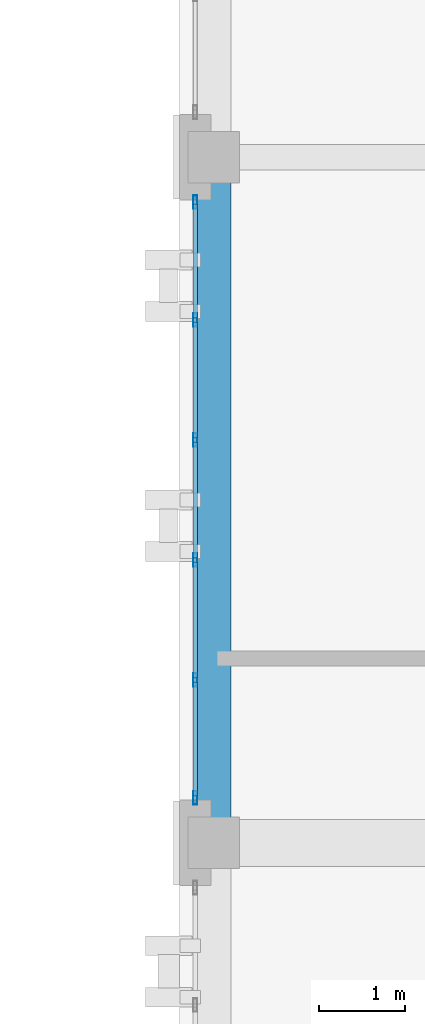
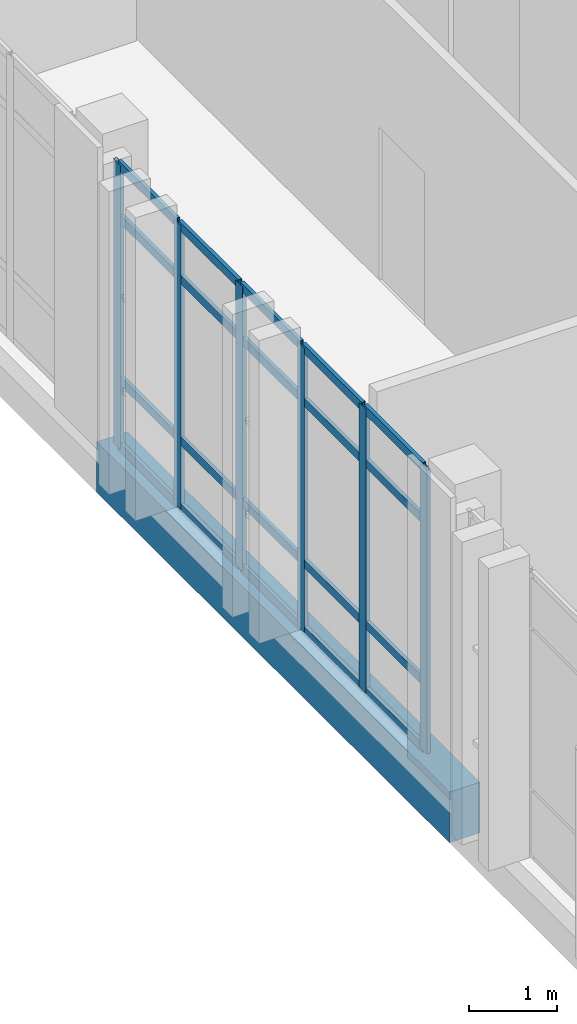
# One storey, part 29 of 77: 26 members, 1 beam, 1 element without a shape of its own.
"""IFC4 building model written with IfcOpenShell, lengths in metres."""

from ifc_helpers import new_model, si_unit, direction, frame, origin, origin_2d, place, context, subcontext, project, spatial, rectangle, hollow_rectangle, extrude, material, layer, layer_set, material_profile, profile_set, type_object, element, aggregate, save


model = new_model("IFC4")

# Units and contexts
model_context = context("Model", 3, precision=1e-05, world=origin(), true_north=direction((0.0, 1.0)))
body_context = subcontext(model_context, "Body", "Model", "MODEL_VIEW")
ifc_project = project(units=[si_unit("LENGTHUNIT", "METRE"), si_unit("AREAUNIT", "SQUARE_METRE"), si_unit("VOLUMEUNIT", "CUBIC_METRE"), si_unit("PLANEANGLEUNIT", "RADIAN"), si_unit("MASSUNIT", "GRAM", prefix="KILO")], contexts=[model_context])

# Site, building, storey
site_placement = place(None, origin())
site = spatial("IfcSite", under=ifc_project, at=site_placement, CompositionType="ELEMENT")
building_placement = place(site_placement, origin())
building = spatial("IfcBuilding", under=site, at=building_placement, Name="Qalavern Law Courts", CompositionType="ELEMENT")
storey_placement = place(building_placement, frame((0.0, 0.0, 27.0)))
storey = spatial("IfcBuildingStorey", under=building, at=storey_placement, Name="L06", CompositionType="ELEMENT", Elevation=27.0)

# Curtain wall, members
ifc_material_1 = material(Name="Anodised aluminium and insulated glazing", Category="aluminium")
ifc_layer = layer(ifc_material_1, 0.159912109375)
ifc_layer_set = layer_set([ifc_layer], Name="Anodised aluminium and insulated glazing")
curtain_wall_type = type_object("IfcCurtainWallType", Name="ENV-CW-CHAMB", PredefinedType="USERDEFINED", material=ifc_layer_set)
curtain_wall_placement = place(storey_placement, origin())
curtain_wall = element("IfcCurtainWall", 1, at=curtain_wall_placement, inside=storey, type_object=curtain_wall_type, Name="V4 unitised curtain wall L06 west 5", ObjectType="UNITISED CURTAIN WALL", PredefinedType="USERDEFINED")
ifc_material_2 = material(Name="Anodised aluminium", Category="aluminium")
ifc_material_profile_1 = material_profile(ifc_material_2, hollow_rectangle(XDim=0.048095703125, YDim=0.159912109375, WallThickness=0.00390625, at=origin_2d()), Name="ALU MULLION 48x160")
ifc_profile_set_1 = profile_set([ifc_material_profile_1], Name="Anodised aluminium")
member_type_1 = type_object("IfcMemberType", Name="ENV-CWM-48x160", PredefinedType="MULLION", material=ifc_profile_set_1)
member_1_placement = place(storey_placement, frame((84.385009765625, 56.8759765625, 0.0), z_axis=(0.0, 0.0, 1.0), x_axis=(1.0, 0.0, 0.0)))
member_1 = element("IfcMember", 2, at=member_1_placement, type_object=member_type_1, Name="CW-04 mullion 1", PredefinedType="MULLION", context=body_context, shape_type="SweptSolid", body=[
    extrude(hollow_rectangle(XDim=0.048095703125, YDim=0.159912109375, WallThickness=0.00390625, at=origin_2d()), origin(), (0.0, 0.0, 1.0), 3.93505859375),
])
member_2_placement = place(storey_placement, frame((84.385009765625, 55.5, 0.0), z_axis=(0.0, 0.0, 1.0), x_axis=(1.0, 0.0, 0.0)))
member_2 = element("IfcMember", 3, at=member_2_placement, type_object=member_type_1, Name="CW-04 mullion 2", PredefinedType="MULLION", context=body_context, shape_type="SweptSolid", body=[
    extrude(hollow_rectangle(XDim=0.048095703125, YDim=0.159912109375, WallThickness=0.00390625, at=origin_2d()), origin(), (0.0, 0.0, 1.0), 3.93505859375),
])
member_3_placement = place(storey_placement, frame((84.385009765625, 54.10009765625, 0.0), z_axis=(0.0, 0.0, 1.0), x_axis=(1.0, 0.0, 0.0)))
member_3 = element("IfcMember", 4, at=member_3_placement, type_object=member_type_1, Name="CW-04 mullion 3", PredefinedType="MULLION", context=body_context, shape_type="SweptSolid", body=[
    extrude(hollow_rectangle(XDim=0.048095703125, YDim=0.159912109375, WallThickness=0.00390625, at=origin_2d()), origin(), (0.0, 0.0, 1.0), 3.93505859375),
])
member_4_placement = place(storey_placement, frame((84.385009765625, 52.699951171875, 0.0), z_axis=(0.0, 0.0, 1.0), x_axis=(1.0, 0.0, 0.0)))
member_4 = element("IfcMember", 5, at=member_4_placement, type_object=member_type_1, Name="CW-04 mullion 4", PredefinedType="MULLION", context=body_context, shape_type="SweptSolid", body=[
    extrude(hollow_rectangle(XDim=0.048095703125, YDim=0.159912109375, WallThickness=0.00390625, at=origin_2d()), origin(), (0.0, 0.0, 1.0), 3.93505859375),
])
member_5_placement = place(storey_placement, frame((84.385009765625, 51.300048828125, 0.0), z_axis=(0.0, 0.0, 1.0), x_axis=(1.0, 0.0, 0.0)))
member_5 = element("IfcMember", 6, at=member_5_placement, type_object=member_type_1, Name="CW-04 mullion 5", PredefinedType="MULLION", context=body_context, shape_type="SweptSolid", body=[
    extrude(hollow_rectangle(XDim=0.048095703125, YDim=0.159912109375, WallThickness=0.00390625, at=origin_2d()), origin(), (0.0, 0.0, 1.0), 3.93505859375),
])
member_6_placement = place(storey_placement, frame((84.385009765625, 49.924072265625, 0.0), z_axis=(0.0, 0.0, 1.0), x_axis=(1.0, 0.0, 0.0)))
member_6 = element("IfcMember", 7, at=member_6_placement, type_object=member_type_1, Name="CW-04 mullion 6", PredefinedType="MULLION", context=body_context, shape_type="SweptSolid", body=[
    extrude(hollow_rectangle(XDim=0.048095703125, YDim=0.159912109375, WallThickness=0.00390625, at=origin_2d()), origin(), (0.0, 0.0, 1.0), 3.93505859375),
])
ifc_material_profile_2 = material_profile(ifc_material_2, hollow_rectangle(XDim=0.048095703125, YDim=0.1201171875, WallThickness=0.00390625, at=origin_2d()), Name="ALU TRANSOM 48x120")
ifc_profile_set_2 = profile_set([ifc_material_profile_2], Name="Anodised aluminium")
member_type_2 = type_object("IfcMemberType", Name="ENV-CWT-48x120", PredefinedType="USERDEFINED", material=ifc_profile_set_2)
member_7_placement = place(storey_placement, frame((84.385009765625, 56.85205078125, 0.02392578125), z_axis=(0.0, -1.0, 0.0), x_axis=(1.0, 0.0, 0.0)))
member_7 = element("IfcMember", 8, at=member_7_placement, type_object=member_type_2, Name="CW-04 transom 1.1", ObjectType="TRANSOM", PredefinedType="USERDEFINED", context=body_context, shape_type="SweptSolid", body=[
    extrude(hollow_rectangle(XDim=0.048095703125, YDim=0.1201171875, WallThickness=0.00390625, at=origin_2d()), origin(), (0.0, 0.0, 1.0), 1.328125),
])
member_8_placement = place(storey_placement, frame((84.385009765625, 56.85205078125, 0.949951171875), z_axis=(0.0, -1.0, 0.0), x_axis=(1.0, 0.0, 0.0)))
member_8 = element("IfcMember", 9, at=member_8_placement, type_object=member_type_2, Name="CW-04 transom 1.2", ObjectType="TRANSOM", PredefinedType="USERDEFINED", context=body_context, shape_type="SweptSolid", body=[
    extrude(hollow_rectangle(XDim=0.048095703125, YDim=0.1201171875, WallThickness=0.00390625, at=origin_2d()), origin(), (0.0, 0.0, 1.0), 1.328125),
])
member_9_placement = place(storey_placement, frame((84.385009765625, 56.85205078125, 3.18505859375), z_axis=(0.0, -1.0, 0.0), x_axis=(1.0, 0.0, 0.0)))
member_9 = element("IfcMember", 10, at=member_9_placement, type_object=member_type_2, Name="CW-04 transom 1.3", ObjectType="TRANSOM", PredefinedType="USERDEFINED", context=body_context, shape_type="SweptSolid", body=[
    extrude(hollow_rectangle(XDim=0.048095703125, YDim=0.1201171875, WallThickness=0.00390625, at=origin_2d()), origin(), (0.0, 0.0, 1.0), 1.328125),
])
member_10_placement = place(storey_placement, frame((84.385009765625, 56.85205078125, 3.910888671875), z_axis=(0.0, -1.0, 0.0), x_axis=(1.0, 0.0, 0.0)))
member_10 = element("IfcMember", 11, at=member_10_placement, type_object=member_type_2, Name="CW-04 transom 1.4", ObjectType="TRANSOM", PredefinedType="USERDEFINED", context=body_context, shape_type="SweptSolid", body=[
    extrude(hollow_rectangle(XDim=0.048095703125, YDim=0.1201171875, WallThickness=0.00390625, at=origin_2d()), origin(), (0.0, 0.0, 1.0), 1.328125),
])
member_11_placement = place(storey_placement, frame((84.385009765625, 55.47607421875, 0.02392578125), z_axis=(0.0, -1.0, 0.0), x_axis=(1.0, 0.0, 0.0)))
member_11 = element("IfcMember", 12, at=member_11_placement, type_object=member_type_2, Name="CW-04 transom 2.1", ObjectType="TRANSOM", PredefinedType="USERDEFINED", context=body_context, shape_type="SweptSolid", body=[
    extrude(hollow_rectangle(XDim=0.048095703125, YDim=0.1201171875, WallThickness=0.00390625, at=origin_2d()), origin(), (0.0, 0.0, 1.0), 1.35205078125),
])
member_12_placement = place(storey_placement, frame((84.385009765625, 55.47607421875, 0.949951171875), z_axis=(0.0, -1.0, 0.0), x_axis=(1.0, 0.0, 0.0)))
member_12 = element("IfcMember", 13, at=member_12_placement, type_object=member_type_2, Name="CW-04 transom 2.2", ObjectType="TRANSOM", PredefinedType="USERDEFINED", context=body_context, shape_type="SweptSolid", body=[
    extrude(hollow_rectangle(XDim=0.048095703125, YDim=0.1201171875, WallThickness=0.00390625, at=origin_2d()), origin(), (0.0, 0.0, 1.0), 1.35205078125),
])
member_13_placement = place(storey_placement, frame((84.385009765625, 55.47607421875, 3.18505859375), z_axis=(0.0, -1.0, 0.0), x_axis=(1.0, 0.0, 0.0)))
member_13 = element("IfcMember", 14, at=member_13_placement, type_object=member_type_2, Name="CW-04 transom 2.3", ObjectType="TRANSOM", PredefinedType="USERDEFINED", context=body_context, shape_type="SweptSolid", body=[
    extrude(hollow_rectangle(XDim=0.048095703125, YDim=0.1201171875, WallThickness=0.00390625, at=origin_2d()), origin(), (0.0, 0.0, 1.0), 1.35205078125),
])
member_14_placement = place(storey_placement, frame((84.385009765625, 55.47607421875, 3.910888671875), z_axis=(0.0, -1.0, 0.0), x_axis=(1.0, 0.0, 0.0)))
member_14 = element("IfcMember", 15, at=member_14_placement, type_object=member_type_2, Name="CW-04 transom 2.4", ObjectType="TRANSOM", PredefinedType="USERDEFINED", context=body_context, shape_type="SweptSolid", body=[
    extrude(hollow_rectangle(XDim=0.048095703125, YDim=0.1201171875, WallThickness=0.00390625, at=origin_2d()), origin(), (0.0, 0.0, 1.0), 1.35205078125),
])
member_15_placement = place(storey_placement, frame((84.385009765625, 54.075927734375, 0.02392578125), z_axis=(0.0, -1.0, 0.0), x_axis=(1.0, 0.0, 0.0)))
member_15 = element("IfcMember", 16, at=member_15_placement, type_object=member_type_2, Name="CW-04 transom 3.1", ObjectType="TRANSOM", PredefinedType="USERDEFINED", context=body_context, shape_type="SweptSolid", body=[
    extrude(hollow_rectangle(XDim=0.048095703125, YDim=0.1201171875, WallThickness=0.00390625, at=origin_2d()), origin(), (0.0, 0.0, 1.0), 1.351806640625),
])
member_16_placement = place(storey_placement, frame((84.385009765625, 54.075927734375, 0.949951171875), z_axis=(0.0, -1.0, 0.0), x_axis=(1.0, 0.0, 0.0)))
member_16 = element("IfcMember", 17, at=member_16_placement, type_object=member_type_2, Name="CW-04 transom 3.2", ObjectType="TRANSOM", PredefinedType="USERDEFINED", context=body_context, shape_type="SweptSolid", body=[
    extrude(hollow_rectangle(XDim=0.048095703125, YDim=0.1201171875, WallThickness=0.00390625, at=origin_2d()), origin(), (0.0, 0.0, 1.0), 1.351806640625),
])
member_17_placement = place(storey_placement, frame((84.385009765625, 54.075927734375, 3.18505859375), z_axis=(0.0, -1.0, 0.0), x_axis=(1.0, 0.0, 0.0)))
member_17 = element("IfcMember", 18, at=member_17_placement, type_object=member_type_2, Name="CW-04 transom 3.3", ObjectType="TRANSOM", PredefinedType="USERDEFINED", context=body_context, shape_type="SweptSolid", body=[
    extrude(hollow_rectangle(XDim=0.048095703125, YDim=0.1201171875, WallThickness=0.00390625, at=origin_2d()), origin(), (0.0, 0.0, 1.0), 1.351806640625),
])
member_18_placement = place(storey_placement, frame((84.385009765625, 54.075927734375, 3.910888671875), z_axis=(0.0, -1.0, 0.0), x_axis=(1.0, 0.0, 0.0)))
member_18 = element("IfcMember", 19, at=member_18_placement, type_object=member_type_2, Name="CW-04 transom 3.4", ObjectType="TRANSOM", PredefinedType="USERDEFINED", context=body_context, shape_type="SweptSolid", body=[
    extrude(hollow_rectangle(XDim=0.048095703125, YDim=0.1201171875, WallThickness=0.00390625, at=origin_2d()), origin(), (0.0, 0.0, 1.0), 1.351806640625),
])
member_19_placement = place(storey_placement, frame((84.385009765625, 52.676025390625, 0.02392578125), z_axis=(0.0, -1.0, 0.0), x_axis=(1.0, 0.0, 0.0)))
member_19 = element("IfcMember", 20, at=member_19_placement, type_object=member_type_2, Name="CW-04 transom 4.1", ObjectType="TRANSOM", PredefinedType="USERDEFINED", context=body_context, shape_type="SweptSolid", body=[
    extrude(hollow_rectangle(XDim=0.048095703125, YDim=0.1201171875, WallThickness=0.00390625, at=origin_2d()), origin(), (0.0, 0.0, 1.0), 1.35205078125),
])
member_20_placement = place(storey_placement, frame((84.385009765625, 52.676025390625, 0.949951171875), z_axis=(0.0, -1.0, 0.0), x_axis=(1.0, 0.0, 0.0)))
member_20 = element("IfcMember", 21, at=member_20_placement, type_object=member_type_2, Name="CW-04 transom 4.2", ObjectType="TRANSOM", PredefinedType="USERDEFINED", context=body_context, shape_type="SweptSolid", body=[
    extrude(hollow_rectangle(XDim=0.048095703125, YDim=0.1201171875, WallThickness=0.00390625, at=origin_2d()), origin(), (0.0, 0.0, 1.0), 1.35205078125),
])
member_21_placement = place(storey_placement, frame((84.385009765625, 52.676025390625, 3.18505859375), z_axis=(0.0, -1.0, 0.0), x_axis=(1.0, 0.0, 0.0)))
member_21 = element("IfcMember", 22, at=member_21_placement, type_object=member_type_2, Name="CW-04 transom 4.3", ObjectType="TRANSOM", PredefinedType="USERDEFINED", context=body_context, shape_type="SweptSolid", body=[
    extrude(hollow_rectangle(XDim=0.048095703125, YDim=0.1201171875, WallThickness=0.00390625, at=origin_2d()), origin(), (0.0, 0.0, 1.0), 1.35205078125),
])
member_22_placement = place(storey_placement, frame((84.385009765625, 52.676025390625, 3.910888671875), z_axis=(0.0, -1.0, 0.0), x_axis=(1.0, 0.0, 0.0)))
member_22 = element("IfcMember", 23, at=member_22_placement, type_object=member_type_2, Name="CW-04 transom 4.4", ObjectType="TRANSOM", PredefinedType="USERDEFINED", context=body_context, shape_type="SweptSolid", body=[
    extrude(hollow_rectangle(XDim=0.048095703125, YDim=0.1201171875, WallThickness=0.00390625, at=origin_2d()), origin(), (0.0, 0.0, 1.0), 1.35205078125),
])
member_23_placement = place(storey_placement, frame((84.385009765625, 51.27587890625, 0.02392578125), z_axis=(0.0, -1.0, 0.0), x_axis=(1.0, 0.0, 0.0)))
member_23 = element("IfcMember", 24, at=member_23_placement, type_object=member_type_2, Name="CW-04 transom 5.1", ObjectType="TRANSOM", PredefinedType="USERDEFINED", context=body_context, shape_type="SweptSolid", body=[
    extrude(hollow_rectangle(XDim=0.048095703125, YDim=0.1201171875, WallThickness=0.00390625, at=origin_2d()), origin(), (0.0, 0.0, 1.0), 1.327880859375),
])
member_24_placement = place(storey_placement, frame((84.385009765625, 51.27587890625, 0.949951171875), z_axis=(0.0, -1.0, 0.0), x_axis=(1.0, 0.0, 0.0)))
member_24 = element("IfcMember", 25, at=member_24_placement, type_object=member_type_2, Name="CW-04 transom 5.2", ObjectType="TRANSOM", PredefinedType="USERDEFINED", context=body_context, shape_type="SweptSolid", body=[
    extrude(hollow_rectangle(XDim=0.048095703125, YDim=0.1201171875, WallThickness=0.00390625, at=origin_2d()), origin(), (0.0, 0.0, 1.0), 1.327880859375),
])
member_25_placement = place(storey_placement, frame((84.385009765625, 51.27587890625, 3.18505859375), z_axis=(0.0, -1.0, 0.0), x_axis=(1.0, 0.0, 0.0)))
member_25 = element("IfcMember", 26, at=member_25_placement, type_object=member_type_2, Name="CW-04 transom 5.3", ObjectType="TRANSOM", PredefinedType="USERDEFINED", context=body_context, shape_type="SweptSolid", body=[
    extrude(hollow_rectangle(XDim=0.048095703125, YDim=0.1201171875, WallThickness=0.00390625, at=origin_2d()), origin(), (0.0, 0.0, 1.0), 1.327880859375),
])
member_26_placement = place(storey_placement, frame((84.385009765625, 51.27587890625, 3.910888671875), z_axis=(0.0, -1.0, 0.0), x_axis=(1.0, 0.0, 0.0)))
member_26 = element("IfcMember", 27, at=member_26_placement, type_object=member_type_2, Name="CW-04 transom 5.4", ObjectType="TRANSOM", PredefinedType="USERDEFINED", context=body_context, shape_type="SweptSolid", body=[
    extrude(hollow_rectangle(XDim=0.048095703125, YDim=0.1201171875, WallThickness=0.00390625, at=origin_2d()), origin(), (0.0, 0.0, 1.0), 1.327880859375),
])
aggregate(curtain_wall, [member_1, member_2, member_3, member_4, member_5, member_6, member_7, member_8, member_9, member_10, member_11, member_12, member_13, member_14, member_15, member_16, member_17, member_18, member_19, member_20, member_21, member_22, member_23, member_24, member_25, member_26])

# Beam
ifc_material_3 = material(Name="Concrete C40/50", Category="concrete")
ifc_material_profile_3 = material_profile(ifc_material_3, rectangle(XDim=0.39990234375, YDim=0.699951171875, at=origin_2d()), Name="RC 400x700")
ifc_profile_set_3 = profile_set([ifc_material_profile_3], Name="Concrete C40/50")
beam_type = type_object("IfcBeamType", Name="STR-SP-RC400x700", PredefinedType="SPANDREL", material=ifc_profile_set_3)
beam_placement = place(storey_placement, frame((84.60009765625, 49.39990234375, -0.6201171875), z_axis=(0.0, 1.0, 0.0), x_axis=(-1.0, 0.0, 0.0)))
element("IfcBeam", 28, at=beam_placement, inside=storey, type_object=beam_type, Name="V4 Y-beam 1-2 L06", PredefinedType="SPANDREL", context=body_context, shape_type="SweptSolid", body=[
    extrude(rectangle(XDim=0.39990234375, YDim=0.699951171875, at=origin_2d()), origin(), (0.0, 0.0, 1.0), 8.0),
])

save(model, "model.ifc")
